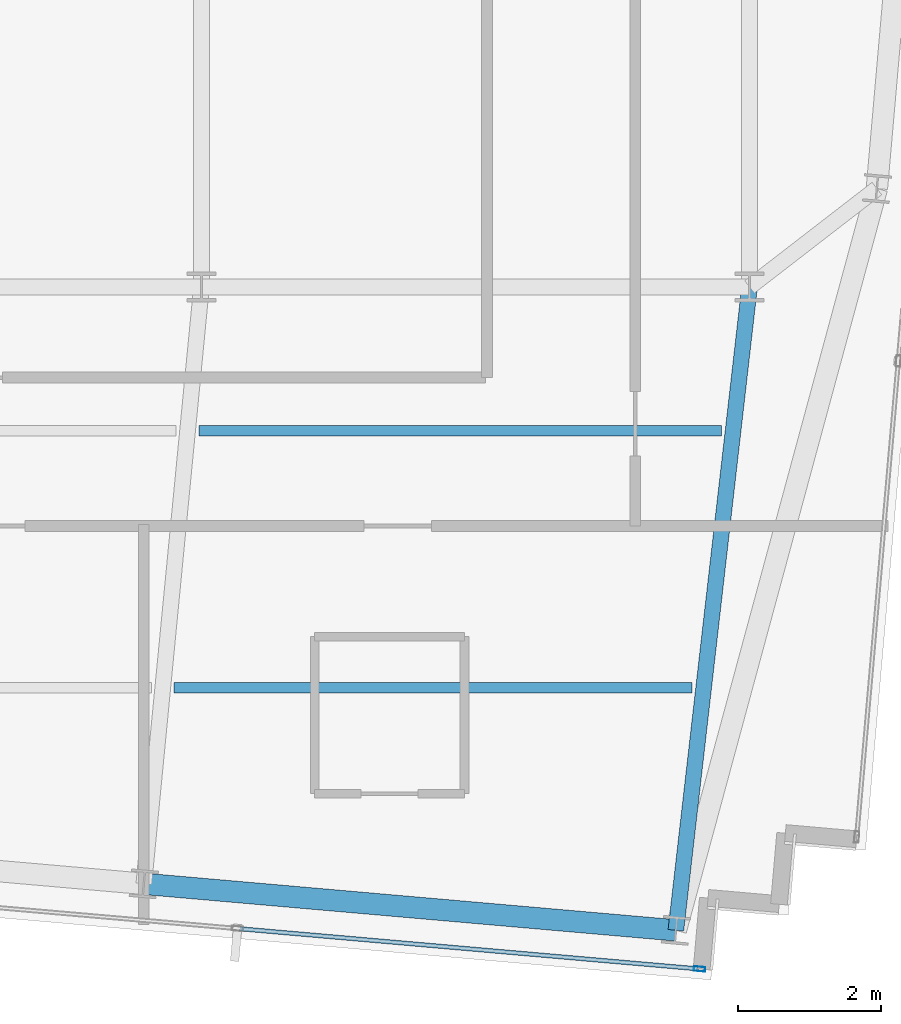
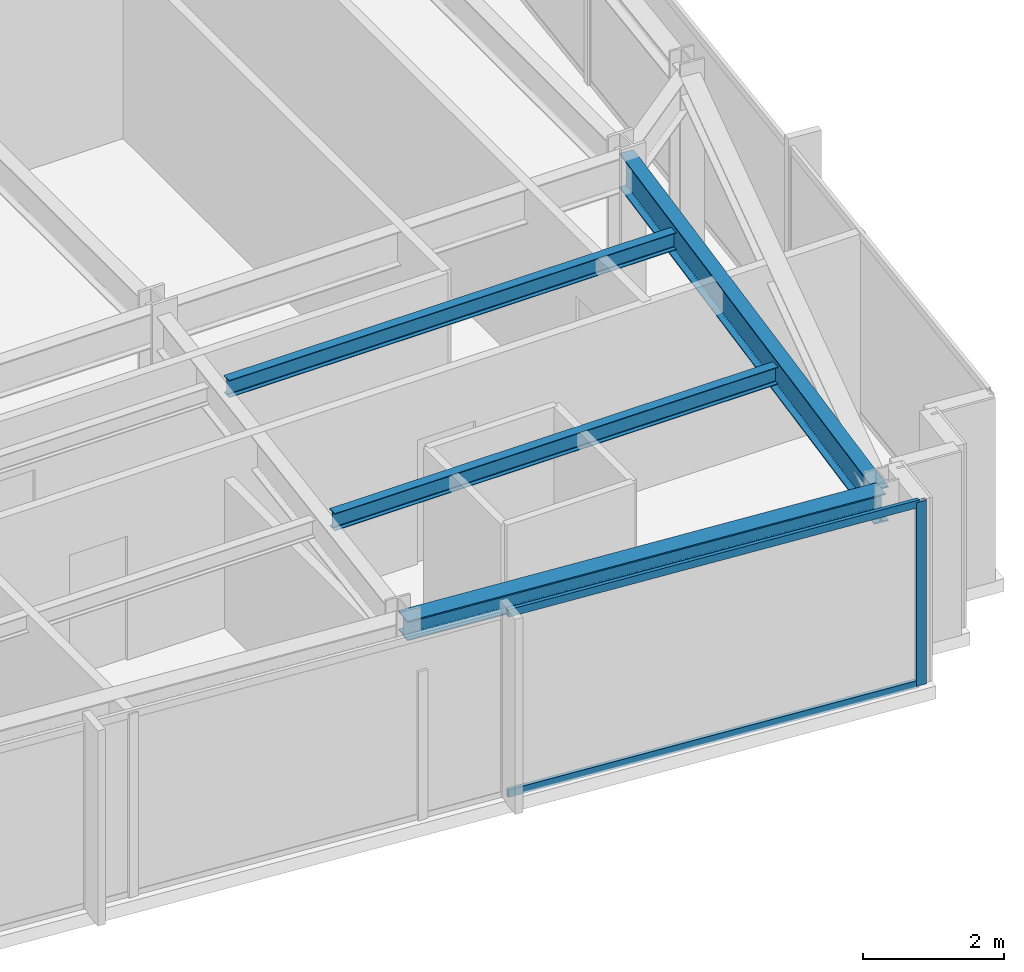
# One storey, part 14 of 32: 4 beams, 3 members, 1 element without a shape of its own.
"""IFC4 building model written with IfcOpenShell, lengths in metres."""

from ifc_helpers import new_model, si_unit, direction, frame, origin, origin_2d, place, context, subcontext, project, spatial, hollow_rectangle, i_section, extrude, material, material_profile, profile_set, type_object, element, aggregate, save


model = new_model("IFC4")

# Units and contexts
model_context = context("Model", 3, precision=1e-05, world=origin(), true_north=direction((0.0, 1.0)))
body_context = subcontext(model_context, "Body", "Model", "MODEL_VIEW")
ifc_project = project(units=[si_unit("LENGTHUNIT", "METRE"), si_unit("AREAUNIT", "SQUARE_METRE"), si_unit("VOLUMEUNIT", "CUBIC_METRE"), si_unit("PLANEANGLEUNIT", "RADIAN"), si_unit("MASSUNIT", "GRAM", prefix="KILO")], contexts=[model_context])

# Site, building, storey
site_placement = place(None, origin())
site = spatial("IfcSite", under=ifc_project, at=site_placement, CompositionType="ELEMENT")
building_placement = place(site_placement, origin())
building = spatial("IfcBuilding", under=site, at=building_placement, Name="Yelkora Congress Tower", CompositionType="ELEMENT")
storey_placement = place(building_placement, frame((0.0, 0.0, 276.10009765625)))
storey = spatial("IfcBuildingStorey", under=building, at=storey_placement, Name="L77", CompositionType="ELEMENT", Elevation=276.10009765625)

# Beams
ifc_material_1 = material(Name="Steel S355J2", Category="steel")
ifc_material_profile_1 = material_profile(ifc_material_1, i_section(OverallWidth=0.219970703125, OverallDepth=0.60009765625, WebThickness=0.011962890625, FlangeThickness=0.01904296875, FilletRadius=0.02392578125, at=origin_2d()), Name="IPE 600")
ifc_profile_set_1 = profile_set([ifc_material_profile_1], Name="Steel S355J2")
beam_type_1 = type_object("IfcBeamType", Name="BM-GIRD-IPE600", PredefinedType="BEAM", material=ifc_profile_set_1)
beam_1_placement = place(storey_placement, frame((52.727294921875, 16.1845703125, 2.8798828125), z_axis=(0.113806093355, 0.993502980929, 0.0), x_axis=(-0.993502980929, 0.113806093355, 0.0)))
element("IfcBeam", 1, at=beam_1_placement, inside=storey, type_object=beam_type_1, Name="L77 Primary Frame Girder S07", PredefinedType="BEAM", context=body_context, shape_type="SweptSolid", body=[
    extrude(i_section(OverallWidth=0.219970703125, OverallDepth=0.60009765625, WebThickness=0.011962890625, FlangeThickness=0.01904296875, FilletRadius=0.02392578125, at=origin_2d()), origin(), (0.0, 0.0, 1.0), 9.07421875),
])
ifc_material_profile_2 = material_profile(ifc_material_1, i_section(OverallWidth=0.14990234375, OverallDepth=0.300048828125, WebThickness=0.007080078125, FlangeThickness=0.0107421875, FilletRadius=0.014892578125, at=origin_2d()), Name="IPE 300")
ifc_profile_set_2 = profile_set([ifc_material_profile_2], Name="Steel S355J2")
beam_type_2 = type_object("IfcBeamType", Name="BM-JOIST-IPE300", PredefinedType="JOIST", material=ifc_profile_set_2)
beam_2_placement = place(storey_placement, frame((45.69775390625, 19.58447265625, 3.02978515625), z_axis=(1.0, 0.0, 0.0), x_axis=(0.0, 1.0, 0.0)))
element("IfcBeam", 2, at=beam_2_placement, inside=storey, type_object=beam_type_2, Name="L77 Composite Floor Joist 4", PredefinedType="JOIST", context=body_context, shape_type="SweptSolid", body=[
    extrude(i_section(OverallWidth=0.14990234375, OverallDepth=0.300048828125, WebThickness=0.007080078125, FlangeThickness=0.0107421875, FilletRadius=0.014892578125, at=origin_2d()), origin(), (0.0, 0.0, 1.0), 7.259033203125),
])
beam_3_placement = place(storey_placement, frame((46.04541015625, 23.1845703125, 3.02978515625), z_axis=(1.0, 0.0, 0.0), x_axis=(0.0, 1.0, 0.0)))
element("IfcBeam", 3, at=beam_3_placement, inside=storey, type_object=beam_type_2, Name="L77 Composite Floor Joist 8", PredefinedType="JOIST", context=body_context, shape_type="SweptSolid", body=[
    extrude(i_section(OverallWidth=0.14990234375, OverallDepth=0.300048828125, WebThickness=0.007080078125, FlangeThickness=0.0107421875, FilletRadius=0.014892578125, at=origin_2d()), origin(), (0.0, 0.0, 1.0), 7.32373046875),
])
ifc_material_profile_3 = material_profile(ifc_material_1, i_section(OverallWidth=0.300048828125, OverallDepth=0.340087890625, WebThickness=0.011962890625, FlangeThickness=0.021484375, FilletRadius=0.027099609375, at=origin_2d()), Name="HEB 340")
ifc_profile_set_3 = profile_set([ifc_material_profile_3], Name="Steel S355J2")
beam_type_3 = type_object("IfcBeamType", Name="BM-SPAN-HEB340", PredefinedType="SPANDREL", material=ifc_profile_set_3)
beam_4_placement = place(storey_placement, frame((45.2724609375, 16.836669921875, 3.010009765625), z_axis=(0.99619601894, -0.087140644067, 0.0), x_axis=(0.087140644067, 0.99619601894, 0.0)))
element("IfcBeam", 4, at=beam_4_placement, inside=storey, type_object=beam_type_3, Name="L77 Perimeter Beam 6", PredefinedType="SPANDREL", context=body_context, shape_type="SweptSolid", body=[
    extrude(i_section(OverallWidth=0.300048828125, OverallDepth=0.340087890625, WebThickness=0.011962890625, FlangeThickness=0.021484375, FilletRadius=0.027099609375, at=origin_2d()), origin(), (0.0, 0.0, 1.0), 7.4833984375),
])

# Curtain wall, members
ifc_material_2 = material(Name="Anodised aluminium and insulated glass", Category="aluminium")
curtain_wall_type = type_object("IfcCurtainWallType", Name="CW-SYS-B5", PredefinedType="NOTDEFINED", material=ifc_material_2)
curtain_wall_placement = place(storey_placement, origin())
curtain_wall = element("IfcCurtainWall", 5, at=curtain_wall_placement, inside=storey, type_object=curtain_wall_type, Name="L77 Unitised Curtain Wall 20", PredefinedType="NOTDEFINED")
ifc_material_3 = material(Name="Anodised aluminium 6063-T6", Category="aluminium")
ifc_material_profile_4 = material_profile(ifc_material_3, hollow_rectangle(XDim=0.06494140625, YDim=0.159912109375, WallThickness=0.00390625, at=origin_2d()), Name="ALU 65x160x4")
ifc_profile_set_4 = profile_set([ifc_material_profile_4], Name="Anodised aluminium 6063-T6")
member_type_1 = type_object("IfcMemberType", Name="MEM-ML-B5", PredefinedType="MULLION", material=ifc_profile_set_4)
member_1_placement = place(storey_placement, frame((53.058837890625, 15.6435546875, 0.0), z_axis=(0.0, 0.0, 1.0), x_axis=(-0.087156829793, -0.996194602987, 0.0)))
member_1 = element("IfcMember", 6, at=member_1_placement, type_object=member_type_1, Name="CW-B5 mullion 1", PredefinedType="MULLION", context=body_context, shape_type="SweptSolid", body=[
    extrude(hollow_rectangle(XDim=0.06494140625, YDim=0.159912109375, WallThickness=0.00390625, at=origin_2d()), origin(), (0.0, 0.0, 1.0), 3.179931640625),
])
ifc_material_profile_5 = material_profile(ifc_material_3, hollow_rectangle(XDim=0.06005859375, YDim=0.1298828125, WallThickness=0.00390625, at=origin_2d()), Name="ALU 60x130x4")
ifc_profile_set_5 = profile_set([ifc_material_profile_5], Name="Anodised aluminium 6063-T6")
member_type_2 = type_object("IfcMemberType", Name="MEM-TR-B5", PredefinedType="USERDEFINED", material=ifc_profile_set_5)
member_2_placement = place(storey_placement, frame((53.0263671875, 15.646484375, 0.02978515625), z_axis=(-0.996197464696, 0.087124114537, 0.0), x_axis=(-0.087124114537, -0.996197464696, 0.0)))
member_2 = element("IfcMember", 7, at=member_2_placement, type_object=member_type_2, Name="CW-B5 transom 1.1", ObjectType="TRANSOM", PredefinedType="USERDEFINED", context=body_context, shape_type="SweptSolid", body=[
    extrude(hollow_rectangle(XDim=0.06005859375, YDim=0.1298828125, WallThickness=0.00390625, at=origin_2d()), origin(), (0.0, 0.0, 1.0), 6.433837890625),
])
member_3_placement = place(storey_placement, frame((53.0263671875, 15.646484375, 3.14990234375), z_axis=(-0.996197464696, 0.087124114537, 0.0), x_axis=(-0.087124114537, -0.996197464696, 0.0)))
member_3 = element("IfcMember", 8, at=member_3_placement, type_object=member_type_2, Name="CW-B5 transom 1.2", ObjectType="TRANSOM", PredefinedType="USERDEFINED", context=body_context, shape_type="SweptSolid", body=[
    extrude(hollow_rectangle(XDim=0.06005859375, YDim=0.1298828125, WallThickness=0.00390625, at=origin_2d()), origin(), (0.0, 0.0, 1.0), 6.433837890625),
])
aggregate(curtain_wall, [member_1, member_2, member_3])

save(model, "model.ifc")
